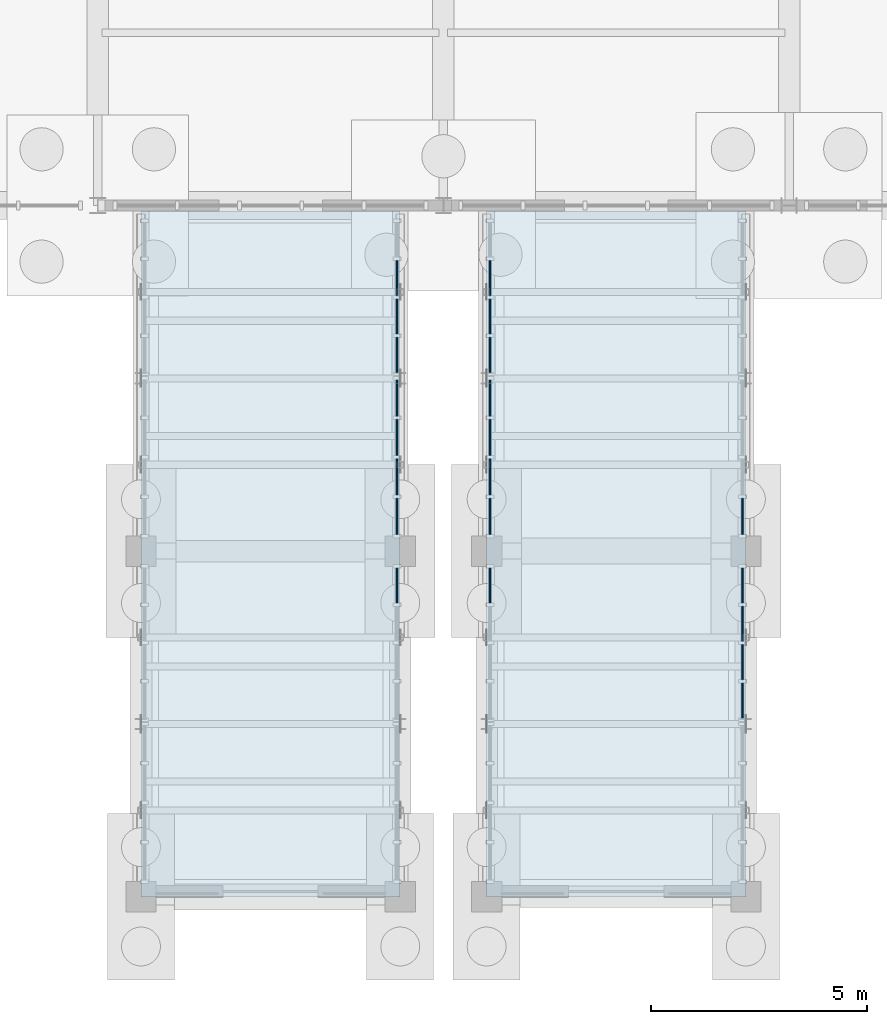
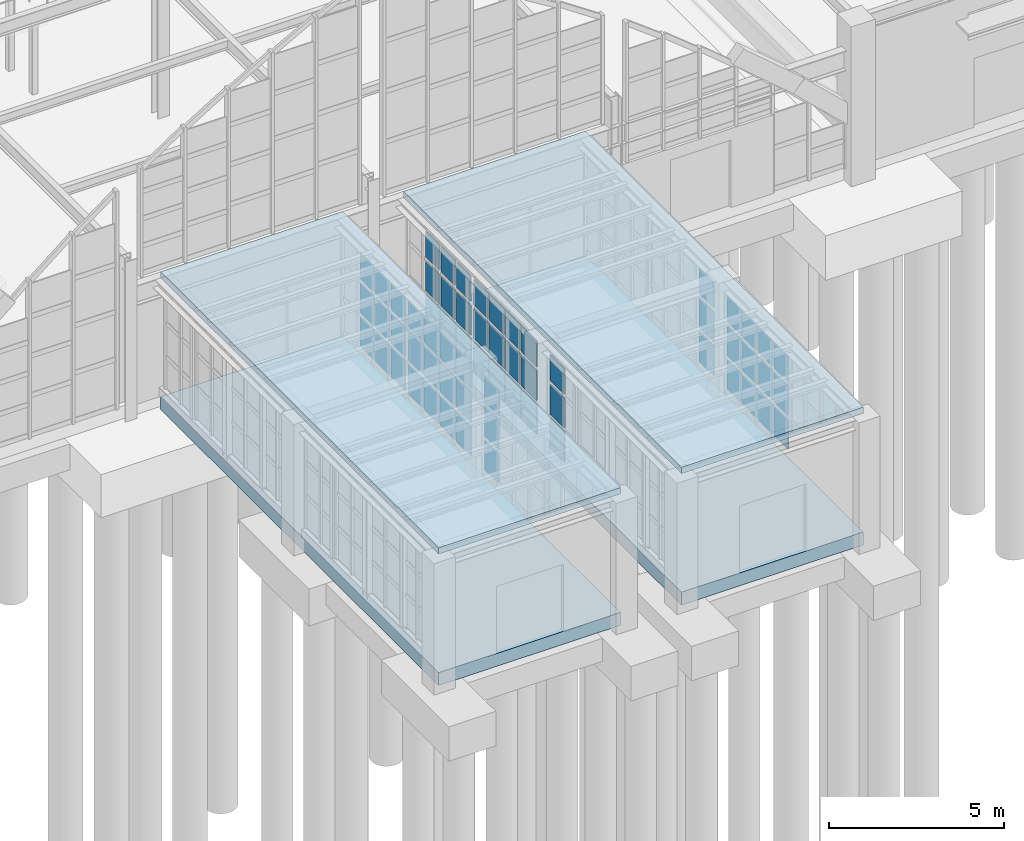
# One storey, part 81 of 129: 63 plates, 4 slabs, 8 elements without a shape of their own.
"""IFC4 building model written with IfcOpenShell, lengths in metres."""

from ifc_helpers import new_model, si_unit, direction, frame, origin, origin_2d, place, context, subcontext, project, spatial, polyline, rectangle, outline, extrude, material, layer, layer_set, type_object, element, aggregate, save


model = new_model("IFC4")

# Units and contexts
model_context = context("Model", 3, precision=1e-05, world=origin(), true_north=direction((0.0, 1.0)))
body_context = subcontext(model_context, "Body", "Model", "MODEL_VIEW")
ifc_project = project(units=[si_unit("LENGTHUNIT", "METRE"), si_unit("AREAUNIT", "SQUARE_METRE"), si_unit("VOLUMEUNIT", "CUBIC_METRE"), si_unit("PLANEANGLEUNIT", "RADIAN"), si_unit("MASSUNIT", "GRAM", prefix="KILO")], contexts=[model_context])

# Site, building, storey
site_placement = place(None, origin())
site = spatial("IfcSite", under=ifc_project, at=site_placement, CompositionType="ELEMENT")
building_placement = place(site_placement, origin())
building = spatial("IfcBuilding", under=site, at=building_placement, Name="Sitalva Quay Ferry Terminal", CompositionType="ELEMENT")
storey_placement = place(building_placement, origin())
storey = spatial("IfcBuildingStorey", under=building, at=storey_placement, Name="L01", CompositionType="ELEMENT", Elevation=0.0)

# Curtain wall, plates
ifc_material_1 = material(Name="Anodised Aluminium & Low-E Glazing", Category="aluminium")
ifc_layer_1 = layer(ifc_material_1, 0.159912109375)
ifc_layer_set_1 = layer_set([ifc_layer_1], Name="Anodised Aluminium & Low-E Glazing")
curtain_wall_type = type_object("IfcCurtainWallType", Name="CW_Bridge_Glazed", PredefinedType="USERDEFINED", material=ifc_layer_set_1)
curtain_wall_1_placement = place(storey_placement, origin())
curtain_wall_1 = element("IfcCurtainWall", 1, at=curtain_wall_1_placement, inside=storey, type_object=curtain_wall_type, Name="Boarding bridge BB2 E2 side glazing (CW-L01-046)", ObjectType="CURTAIN_WALL", PredefinedType="USERDEFINED")
ifc_material_2 = material(Name="Acoustic Laminated Marine Glazing", Category="glass")
ifc_layer_2 = layer(ifc_material_2, 0.033935546875)
ifc_layer_set_2 = layer_set([ifc_layer_2], Name="Acoustic Laminated Marine Glazing")
plate_type = type_object("IfcPlateType", Name="Panel_Marine_IGU_34", PredefinedType="CURTAIN_PANEL", material=ifc_layer_set_2)
plate_1_placement = place(storey_placement, frame((56.919921875, -2.793701171875, 0.39990234375), z_axis=(0.0, 0.0, 1.0), x_axis=(0.0, 1.0, 0.0)))
plate_1 = element("IfcPlate", 2, at=plate_1_placement, type_object=plate_type, Name="CW-L01-046-P3-0", PredefinedType="CURTAIN_PANEL", context=body_context, shape_type="SweptSolid", body=[
    extrude(rectangle(XDim=0.8076171875, YDim=0.033935546875, at=origin_2d()), origin(), (0.0, 0.0, 1.0), 1.026611328125),
])
plate_2_placement = place(storey_placement, frame((56.919921875, -2.793701171875, 1.57666015625), z_axis=(0.0, 0.0, 1.0), x_axis=(0.0, 1.0, 0.0)))
plate_2 = element("IfcPlate", 3, at=plate_2_placement, type_object=plate_type, Name="CW-L01-046-P3-1", PredefinedType="CURTAIN_PANEL", context=body_context, shape_type="SweptSolid", body=[
    extrude(rectangle(XDim=0.8076171875, YDim=0.033935546875, at=origin_2d()), origin(), (0.0, 0.0, 1.0), 1.026611328125),
])
plate_3_placement = place(storey_placement, frame((56.919921875, -2.793701171875, 2.75341796875), z_axis=(0.0, 0.0, 1.0), x_axis=(0.0, 1.0, 0.0)))
plate_3 = element("IfcPlate", 4, at=plate_3_placement, type_object=plate_type, Name="CW-L01-046-P3-2", PredefinedType="CURTAIN_PANEL", context=body_context, shape_type="SweptSolid", body=[
    extrude(rectangle(XDim=0.8076171875, YDim=0.033935546875, at=origin_2d()), origin(), (0.0, 0.0, 1.0), 0.876708984375),
])
aggregate(curtain_wall_1, [plate_1, plate_2, plate_3])

curtain_wall_2_placement = place(storey_placement, origin())
curtain_wall_2 = element("IfcCurtainWall", 5, at=curtain_wall_2_placement, inside=storey, type_object=curtain_wall_type, Name="Boarding bridge BB2 E3 side glazing (CW-L01-047)", ObjectType="CURTAIN_WALL", PredefinedType="USERDEFINED")
plate_4_placement = place(storey_placement, frame((56.919921875, -1.19384765625, 0.39990234375), z_axis=(0.0, 0.0, 1.0), x_axis=(0.0, 1.0, 0.0)))
plate_4 = element("IfcPlate", 6, at=plate_4_placement, type_object=plate_type, Name="CW-L01-047-P0-0", PredefinedType="CURTAIN_PANEL", context=body_context, shape_type="SweptSolid", body=[
    extrude(rectangle(XDim=0.83251953125, YDim=0.033935546875, at=origin_2d()), origin(), (0.0, 0.0, 1.0), 1.026611328125),
])
plate_5_placement = place(storey_placement, frame((56.919921875, -1.19384765625, 1.57666015625), z_axis=(0.0, 0.0, 1.0), x_axis=(0.0, 1.0, 0.0)))
plate_5 = element("IfcPlate", 7, at=plate_5_placement, type_object=plate_type, Name="CW-L01-047-P0-1", PredefinedType="CURTAIN_PANEL", context=body_context, shape_type="SweptSolid", body=[
    extrude(rectangle(XDim=0.83251953125, YDim=0.033935546875, at=origin_2d()), origin(), (0.0, 0.0, 1.0), 1.026611328125),
])
plate_6_placement = place(storey_placement, frame((56.919921875, -1.19384765625, 2.75341796875), z_axis=(0.0, 0.0, 1.0), x_axis=(0.0, 1.0, 0.0)))
plate_6 = element("IfcPlate", 8, at=plate_6_placement, type_object=plate_type, Name="CW-L01-047-P0-2", PredefinedType="CURTAIN_PANEL", context=body_context, shape_type="SweptSolid", body=[
    extrude(rectangle(XDim=0.83251953125, YDim=0.033935546875, at=origin_2d()), origin(), (0.0, 0.0, 1.0), 0.876708984375),
])
plate_7_placement = place(storey_placement, frame((56.919921875, -0.28125, 0.39990234375), z_axis=(0.0, 0.0, 1.0), x_axis=(0.0, 1.0, 0.0)))
plate_7 = element("IfcPlate", 9, at=plate_7_placement, type_object=plate_type, Name="CW-L01-047-P1-0", PredefinedType="CURTAIN_PANEL", context=body_context, shape_type="SweptSolid", body=[
    extrude(rectangle(XDim=0.83251953125, YDim=0.033935546875, at=origin_2d()), origin(), (0.0, 0.0, 1.0), 1.026611328125),
])
plate_8_placement = place(storey_placement, frame((56.919921875, -0.28125, 1.57666015625), z_axis=(0.0, 0.0, 1.0), x_axis=(0.0, 1.0, 0.0)))
plate_8 = element("IfcPlate", 10, at=plate_8_placement, type_object=plate_type, Name="CW-L01-047-P1-1", PredefinedType="CURTAIN_PANEL", context=body_context, shape_type="SweptSolid", body=[
    extrude(rectangle(XDim=0.83251953125, YDim=0.033935546875, at=origin_2d()), origin(), (0.0, 0.0, 1.0), 1.026611328125),
])
plate_9_placement = place(storey_placement, frame((56.919921875, -0.28125, 2.75341796875), z_axis=(0.0, 0.0, 1.0), x_axis=(0.0, 1.0, 0.0)))
plate_9 = element("IfcPlate", 11, at=plate_9_placement, type_object=plate_type, Name="CW-L01-047-P1-2", PredefinedType="CURTAIN_PANEL", context=body_context, shape_type="SweptSolid", body=[
    extrude(rectangle(XDim=0.83251953125, YDim=0.033935546875, at=origin_2d()), origin(), (0.0, 0.0, 1.0), 0.876708984375),
])
plate_10_placement = place(storey_placement, frame((56.919921875, 0.63134765625, 0.39990234375), z_axis=(0.0, 0.0, 1.0), x_axis=(0.0, 1.0, 0.0)))
plate_10 = element("IfcPlate", 12, at=plate_10_placement, type_object=plate_type, Name="CW-L01-047-P2-0", PredefinedType="CURTAIN_PANEL", context=body_context, shape_type="SweptSolid", body=[
    extrude(rectangle(XDim=0.83251953125, YDim=0.033935546875, at=origin_2d()), origin(), (0.0, 0.0, 1.0), 1.026611328125),
])
plate_11_placement = place(storey_placement, frame((56.919921875, 0.63134765625, 1.57666015625), z_axis=(0.0, 0.0, 1.0), x_axis=(0.0, 1.0, 0.0)))
plate_11 = element("IfcPlate", 13, at=plate_11_placement, type_object=plate_type, Name="CW-L01-047-P2-1", PredefinedType="CURTAIN_PANEL", context=body_context, shape_type="SweptSolid", body=[
    extrude(rectangle(XDim=0.83251953125, YDim=0.033935546875, at=origin_2d()), origin(), (0.0, 0.0, 1.0), 1.026611328125),
])
plate_12_placement = place(storey_placement, frame((56.919921875, 0.63134765625, 2.75341796875), z_axis=(0.0, 0.0, 1.0), x_axis=(0.0, 1.0, 0.0)))
plate_12 = element("IfcPlate", 14, at=plate_12_placement, type_object=plate_type, Name="CW-L01-047-P2-2", PredefinedType="CURTAIN_PANEL", context=body_context, shape_type="SweptSolid", body=[
    extrude(rectangle(XDim=0.83251953125, YDim=0.033935546875, at=origin_2d()), origin(), (0.0, 0.0, 1.0), 0.876708984375),
])
plate_13_placement = place(storey_placement, frame((56.919921875, 1.543701171875, 0.39990234375), z_axis=(0.0, 0.0, 1.0), x_axis=(0.0, 1.0, 0.0)))
plate_13 = element("IfcPlate", 15, at=plate_13_placement, type_object=plate_type, Name="CW-L01-047-P3-0", PredefinedType="CURTAIN_PANEL", context=body_context, shape_type="SweptSolid", body=[
    extrude(rectangle(XDim=0.83251953125, YDim=0.033935546875, at=origin_2d()), origin(), (0.0, 0.0, 1.0), 1.026611328125),
])
plate_14_placement = place(storey_placement, frame((56.919921875, 1.543701171875, 1.57666015625), z_axis=(0.0, 0.0, 1.0), x_axis=(0.0, 1.0, 0.0)))
plate_14 = element("IfcPlate", 16, at=plate_14_placement, type_object=plate_type, Name="CW-L01-047-P3-1", PredefinedType="CURTAIN_PANEL", context=body_context, shape_type="SweptSolid", body=[
    extrude(rectangle(XDim=0.83251953125, YDim=0.033935546875, at=origin_2d()), origin(), (0.0, 0.0, 1.0), 1.026611328125),
])
plate_15_placement = place(storey_placement, frame((56.919921875, 1.543701171875, 2.75341796875), z_axis=(0.0, 0.0, 1.0), x_axis=(0.0, 1.0, 0.0)))
plate_15 = element("IfcPlate", 17, at=plate_15_placement, type_object=plate_type, Name="CW-L01-047-P3-2", PredefinedType="CURTAIN_PANEL", context=body_context, shape_type="SweptSolid", body=[
    extrude(rectangle(XDim=0.83251953125, YDim=0.033935546875, at=origin_2d()), origin(), (0.0, 0.0, 1.0), 0.876708984375),
])
aggregate(curtain_wall_2, [plate_4, plate_5, plate_6, plate_7, plate_8, plate_9, plate_10, plate_11, plate_12, plate_13, plate_14, plate_15])

curtain_wall_3_placement = place(storey_placement, origin())
curtain_wall_3 = element("IfcCurtainWall", 18, at=curtain_wall_3_placement, inside=storey, type_object=curtain_wall_type, Name="Boarding bridge BB2 E4 side glazing (CW-L01-048)", ObjectType="CURTAIN_WALL", PredefinedType="USERDEFINED")
plate_16_placement = place(storey_placement, frame((56.919921875, 2.543701171875, 0.39990234375), z_axis=(0.0, 0.0, 1.0), x_axis=(0.0, 1.0, 0.0)))
plate_16 = element("IfcPlate", 19, at=plate_16_placement, type_object=plate_type, Name="CW-L01-048-P0-0", PredefinedType="CURTAIN_PANEL", context=body_context, shape_type="SweptSolid", body=[
    extrude(rectangle(XDim=0.8076171875, YDim=0.033935546875, at=origin_2d()), origin(), (0.0, 0.0, 1.0), 1.026611328125),
])
plate_17_placement = place(storey_placement, frame((56.919921875, 2.543701171875, 1.57666015625), z_axis=(0.0, 0.0, 1.0), x_axis=(0.0, 1.0, 0.0)))
plate_17 = element("IfcPlate", 20, at=plate_17_placement, type_object=plate_type, Name="CW-L01-048-P0-1", PredefinedType="CURTAIN_PANEL", context=body_context, shape_type="SweptSolid", body=[
    extrude(rectangle(XDim=0.8076171875, YDim=0.033935546875, at=origin_2d()), origin(), (0.0, 0.0, 1.0), 1.026611328125),
])
plate_18_placement = place(storey_placement, frame((56.919921875, 2.543701171875, 2.75341796875), z_axis=(0.0, 0.0, 1.0), x_axis=(0.0, 1.0, 0.0)))
plate_18 = element("IfcPlate", 21, at=plate_18_placement, type_object=plate_type, Name="CW-L01-048-P0-2", PredefinedType="CURTAIN_PANEL", context=body_context, shape_type="SweptSolid", body=[
    extrude(rectangle(XDim=0.8076171875, YDim=0.033935546875, at=origin_2d()), origin(), (0.0, 0.0, 1.0), 0.876708984375),
])
plate_19_placement = place(storey_placement, frame((56.919921875, 3.43115234375, 0.39990234375), z_axis=(0.0, 0.0, 1.0), x_axis=(0.0, 1.0, 0.0)))
plate_19 = element("IfcPlate", 22, at=plate_19_placement, type_object=plate_type, Name="CW-L01-048-P1-0", PredefinedType="CURTAIN_PANEL", context=body_context, shape_type="SweptSolid", body=[
    extrude(rectangle(XDim=0.8076171875, YDim=0.033935546875, at=origin_2d()), origin(), (0.0, 0.0, 1.0), 1.026611328125),
])
plate_20_placement = place(storey_placement, frame((56.919921875, 3.43115234375, 1.57666015625), z_axis=(0.0, 0.0, 1.0), x_axis=(0.0, 1.0, 0.0)))
plate_20 = element("IfcPlate", 23, at=plate_20_placement, type_object=plate_type, Name="CW-L01-048-P1-1", PredefinedType="CURTAIN_PANEL", context=body_context, shape_type="SweptSolid", body=[
    extrude(rectangle(XDim=0.8076171875, YDim=0.033935546875, at=origin_2d()), origin(), (0.0, 0.0, 1.0), 1.026611328125),
])
plate_21_placement = place(storey_placement, frame((56.919921875, 3.43115234375, 2.75341796875), z_axis=(0.0, 0.0, 1.0), x_axis=(0.0, 1.0, 0.0)))
plate_21 = element("IfcPlate", 24, at=plate_21_placement, type_object=plate_type, Name="CW-L01-048-P1-2", PredefinedType="CURTAIN_PANEL", context=body_context, shape_type="SweptSolid", body=[
    extrude(rectangle(XDim=0.8076171875, YDim=0.033935546875, at=origin_2d()), origin(), (0.0, 0.0, 1.0), 0.876708984375),
])
plate_22_placement = place(storey_placement, frame((56.919921875, 4.31884765625, 0.39990234375), z_axis=(0.0, 0.0, 1.0), x_axis=(0.0, 1.0, 0.0)))
plate_22 = element("IfcPlate", 25, at=plate_22_placement, type_object=plate_type, Name="CW-L01-048-P2-0", PredefinedType="CURTAIN_PANEL", context=body_context, shape_type="SweptSolid", body=[
    extrude(rectangle(XDim=0.8076171875, YDim=0.033935546875, at=origin_2d()), origin(), (0.0, 0.0, 1.0), 1.026611328125),
])
plate_23_placement = place(storey_placement, frame((56.919921875, 4.31884765625, 1.57666015625), z_axis=(0.0, 0.0, 1.0), x_axis=(0.0, 1.0, 0.0)))
plate_23 = element("IfcPlate", 26, at=plate_23_placement, type_object=plate_type, Name="CW-L01-048-P2-1", PredefinedType="CURTAIN_PANEL", context=body_context, shape_type="SweptSolid", body=[
    extrude(rectangle(XDim=0.8076171875, YDim=0.033935546875, at=origin_2d()), origin(), (0.0, 0.0, 1.0), 1.026611328125),
])
plate_24_placement = place(storey_placement, frame((56.919921875, 4.31884765625, 2.75341796875), z_axis=(0.0, 0.0, 1.0), x_axis=(0.0, 1.0, 0.0)))
plate_24 = element("IfcPlate", 27, at=plate_24_placement, type_object=plate_type, Name="CW-L01-048-P2-2", PredefinedType="CURTAIN_PANEL", context=body_context, shape_type="SweptSolid", body=[
    extrude(rectangle(XDim=0.8076171875, YDim=0.033935546875, at=origin_2d()), origin(), (0.0, 0.0, 1.0), 0.876708984375),
])
aggregate(curtain_wall_3, [plate_16, plate_17, plate_18, plate_19, plate_20, plate_21, plate_22, plate_23, plate_24])

curtain_wall_4_placement = place(storey_placement, origin())
curtain_wall_4 = element("IfcCurtainWall", 28, at=curtain_wall_4_placement, inside=storey, type_object=curtain_wall_type, Name="Boarding bridge BB3 W2 side glazing (CW-L01-050)", ObjectType="CURTAIN_WALL", PredefinedType="USERDEFINED")
plate_25_placement = place(storey_placement, frame((59.080078125, -2.793701171875, 0.39990234375), z_axis=(0.0, 0.0, 1.0), x_axis=(0.0, 1.0, 0.0)))
plate_25 = element("IfcPlate", 29, at=plate_25_placement, type_object=plate_type, Name="CW-L01-050-P3-0", PredefinedType="CURTAIN_PANEL", context=body_context, shape_type="SweptSolid", body=[
    extrude(rectangle(XDim=0.8076171875, YDim=0.033935546875, at=origin_2d()), origin(), (0.0, 0.0, 1.0), 1.026611328125),
])
plate_26_placement = place(storey_placement, frame((59.080078125, -2.793701171875, 1.57666015625), z_axis=(0.0, 0.0, 1.0), x_axis=(0.0, 1.0, 0.0)))
plate_26 = element("IfcPlate", 30, at=plate_26_placement, type_object=plate_type, Name="CW-L01-050-P3-1", PredefinedType="CURTAIN_PANEL", context=body_context, shape_type="SweptSolid", body=[
    extrude(rectangle(XDim=0.8076171875, YDim=0.033935546875, at=origin_2d()), origin(), (0.0, 0.0, 1.0), 1.026611328125),
])
plate_27_placement = place(storey_placement, frame((59.080078125, -2.793701171875, 2.75341796875), z_axis=(0.0, 0.0, 1.0), x_axis=(0.0, 1.0, 0.0)))
plate_27 = element("IfcPlate", 31, at=plate_27_placement, type_object=plate_type, Name="CW-L01-050-P3-2", PredefinedType="CURTAIN_PANEL", context=body_context, shape_type="SweptSolid", body=[
    extrude(rectangle(XDim=0.8076171875, YDim=0.033935546875, at=origin_2d()), origin(), (0.0, 0.0, 1.0), 0.876708984375),
])
aggregate(curtain_wall_4, [plate_25, plate_26, plate_27])

curtain_wall_5_placement = place(storey_placement, origin())
curtain_wall_5 = element("IfcCurtainWall", 32, at=curtain_wall_5_placement, inside=storey, type_object=curtain_wall_type, Name="Boarding bridge BB3 W3 side glazing (CW-L01-051)", ObjectType="CURTAIN_WALL", PredefinedType="USERDEFINED")
plate_28_placement = place(storey_placement, frame((59.080078125, -1.19384765625, 0.39990234375), z_axis=(0.0, 0.0, 1.0), x_axis=(0.0, 1.0, 0.0)))
plate_28 = element("IfcPlate", 33, at=plate_28_placement, type_object=plate_type, Name="CW-L01-051-P0-0", PredefinedType="CURTAIN_PANEL", context=body_context, shape_type="SweptSolid", body=[
    extrude(rectangle(XDim=0.83251953125, YDim=0.033935546875, at=origin_2d()), origin(), (0.0, 0.0, 1.0), 1.026611328125),
])
plate_29_placement = place(storey_placement, frame((59.080078125, -1.19384765625, 1.57666015625), z_axis=(0.0, 0.0, 1.0), x_axis=(0.0, 1.0, 0.0)))
plate_29 = element("IfcPlate", 34, at=plate_29_placement, type_object=plate_type, Name="CW-L01-051-P0-1", PredefinedType="CURTAIN_PANEL", context=body_context, shape_type="SweptSolid", body=[
    extrude(rectangle(XDim=0.83251953125, YDim=0.033935546875, at=origin_2d()), origin(), (0.0, 0.0, 1.0), 1.026611328125),
])
plate_30_placement = place(storey_placement, frame((59.080078125, -1.19384765625, 2.75341796875), z_axis=(0.0, 0.0, 1.0), x_axis=(0.0, 1.0, 0.0)))
plate_30 = element("IfcPlate", 35, at=plate_30_placement, type_object=plate_type, Name="CW-L01-051-P0-2", PredefinedType="CURTAIN_PANEL", context=body_context, shape_type="SweptSolid", body=[
    extrude(rectangle(XDim=0.83251953125, YDim=0.033935546875, at=origin_2d()), origin(), (0.0, 0.0, 1.0), 0.876708984375),
])
plate_31_placement = place(storey_placement, frame((59.080078125, -0.28125, 0.39990234375), z_axis=(0.0, 0.0, 1.0), x_axis=(0.0, 1.0, 0.0)))
plate_31 = element("IfcPlate", 36, at=plate_31_placement, type_object=plate_type, Name="CW-L01-051-P1-0", PredefinedType="CURTAIN_PANEL", context=body_context, shape_type="SweptSolid", body=[
    extrude(rectangle(XDim=0.83251953125, YDim=0.033935546875, at=origin_2d()), origin(), (0.0, 0.0, 1.0), 1.026611328125),
])
plate_32_placement = place(storey_placement, frame((59.080078125, -0.28125, 1.57666015625), z_axis=(0.0, 0.0, 1.0), x_axis=(0.0, 1.0, 0.0)))
plate_32 = element("IfcPlate", 37, at=plate_32_placement, type_object=plate_type, Name="CW-L01-051-P1-1", PredefinedType="CURTAIN_PANEL", context=body_context, shape_type="SweptSolid", body=[
    extrude(rectangle(XDim=0.83251953125, YDim=0.033935546875, at=origin_2d()), origin(), (0.0, 0.0, 1.0), 1.026611328125),
])
plate_33_placement = place(storey_placement, frame((59.080078125, -0.28125, 2.75341796875), z_axis=(0.0, 0.0, 1.0), x_axis=(0.0, 1.0, 0.0)))
plate_33 = element("IfcPlate", 38, at=plate_33_placement, type_object=plate_type, Name="CW-L01-051-P1-2", PredefinedType="CURTAIN_PANEL", context=body_context, shape_type="SweptSolid", body=[
    extrude(rectangle(XDim=0.83251953125, YDim=0.033935546875, at=origin_2d()), origin(), (0.0, 0.0, 1.0), 0.876708984375),
])
plate_34_placement = place(storey_placement, frame((59.080078125, 0.63134765625, 0.39990234375), z_axis=(0.0, 0.0, 1.0), x_axis=(0.0, 1.0, 0.0)))
plate_34 = element("IfcPlate", 39, at=plate_34_placement, type_object=plate_type, Name="CW-L01-051-P2-0", PredefinedType="CURTAIN_PANEL", context=body_context, shape_type="SweptSolid", body=[
    extrude(rectangle(XDim=0.83251953125, YDim=0.033935546875, at=origin_2d()), origin(), (0.0, 0.0, 1.0), 1.026611328125),
])
plate_35_placement = place(storey_placement, frame((59.080078125, 0.63134765625, 1.57666015625), z_axis=(0.0, 0.0, 1.0), x_axis=(0.0, 1.0, 0.0)))
plate_35 = element("IfcPlate", 40, at=plate_35_placement, type_object=plate_type, Name="CW-L01-051-P2-1", PredefinedType="CURTAIN_PANEL", context=body_context, shape_type="SweptSolid", body=[
    extrude(rectangle(XDim=0.83251953125, YDim=0.033935546875, at=origin_2d()), origin(), (0.0, 0.0, 1.0), 1.026611328125),
])
plate_36_placement = place(storey_placement, frame((59.080078125, 0.63134765625, 2.75341796875), z_axis=(0.0, 0.0, 1.0), x_axis=(0.0, 1.0, 0.0)))
plate_36 = element("IfcPlate", 41, at=plate_36_placement, type_object=plate_type, Name="CW-L01-051-P2-2", PredefinedType="CURTAIN_PANEL", context=body_context, shape_type="SweptSolid", body=[
    extrude(rectangle(XDim=0.83251953125, YDim=0.033935546875, at=origin_2d()), origin(), (0.0, 0.0, 1.0), 0.876708984375),
])
plate_37_placement = place(storey_placement, frame((59.080078125, 1.543701171875, 0.39990234375), z_axis=(0.0, 0.0, 1.0), x_axis=(0.0, 1.0, 0.0)))
plate_37 = element("IfcPlate", 42, at=plate_37_placement, type_object=plate_type, Name="CW-L01-051-P3-0", PredefinedType="CURTAIN_PANEL", context=body_context, shape_type="SweptSolid", body=[
    extrude(rectangle(XDim=0.83251953125, YDim=0.033935546875, at=origin_2d()), origin(), (0.0, 0.0, 1.0), 1.026611328125),
])
plate_38_placement = place(storey_placement, frame((59.080078125, 1.543701171875, 1.57666015625), z_axis=(0.0, 0.0, 1.0), x_axis=(0.0, 1.0, 0.0)))
plate_38 = element("IfcPlate", 43, at=plate_38_placement, type_object=plate_type, Name="CW-L01-051-P3-1", PredefinedType="CURTAIN_PANEL", context=body_context, shape_type="SweptSolid", body=[
    extrude(rectangle(XDim=0.83251953125, YDim=0.033935546875, at=origin_2d()), origin(), (0.0, 0.0, 1.0), 1.026611328125),
])
plate_39_placement = place(storey_placement, frame((59.080078125, 1.543701171875, 2.75341796875), z_axis=(0.0, 0.0, 1.0), x_axis=(0.0, 1.0, 0.0)))
plate_39 = element("IfcPlate", 44, at=plate_39_placement, type_object=plate_type, Name="CW-L01-051-P3-2", PredefinedType="CURTAIN_PANEL", context=body_context, shape_type="SweptSolid", body=[
    extrude(rectangle(XDim=0.83251953125, YDim=0.033935546875, at=origin_2d()), origin(), (0.0, 0.0, 1.0), 0.876708984375),
])
aggregate(curtain_wall_5, [plate_28, plate_29, plate_30, plate_31, plate_32, plate_33, plate_34, plate_35, plate_36, plate_37, plate_38, plate_39])

curtain_wall_6_placement = place(storey_placement, origin())
curtain_wall_6 = element("IfcCurtainWall", 45, at=curtain_wall_6_placement, inside=storey, type_object=curtain_wall_type, Name="Boarding bridge BB3 W4 side glazing (CW-L01-052)", ObjectType="CURTAIN_WALL", PredefinedType="USERDEFINED")
plate_40_placement = place(storey_placement, frame((59.080078125, 2.543701171875, 0.39990234375), z_axis=(0.0, 0.0, 1.0), x_axis=(0.0, 1.0, 0.0)))
plate_40 = element("IfcPlate", 46, at=plate_40_placement, type_object=plate_type, Name="CW-L01-052-P0-0", PredefinedType="CURTAIN_PANEL", context=body_context, shape_type="SweptSolid", body=[
    extrude(rectangle(XDim=0.8076171875, YDim=0.033935546875, at=origin_2d()), origin(), (0.0, 0.0, 1.0), 1.026611328125),
])
plate_41_placement = place(storey_placement, frame((59.080078125, 2.543701171875, 1.57666015625), z_axis=(0.0, 0.0, 1.0), x_axis=(0.0, 1.0, 0.0)))
plate_41 = element("IfcPlate", 47, at=plate_41_placement, type_object=plate_type, Name="CW-L01-052-P0-1", PredefinedType="CURTAIN_PANEL", context=body_context, shape_type="SweptSolid", body=[
    extrude(rectangle(XDim=0.8076171875, YDim=0.033935546875, at=origin_2d()), origin(), (0.0, 0.0, 1.0), 1.026611328125),
])
plate_42_placement = place(storey_placement, frame((59.080078125, 2.543701171875, 2.75341796875), z_axis=(0.0, 0.0, 1.0), x_axis=(0.0, 1.0, 0.0)))
plate_42 = element("IfcPlate", 48, at=plate_42_placement, type_object=plate_type, Name="CW-L01-052-P0-2", PredefinedType="CURTAIN_PANEL", context=body_context, shape_type="SweptSolid", body=[
    extrude(rectangle(XDim=0.8076171875, YDim=0.033935546875, at=origin_2d()), origin(), (0.0, 0.0, 1.0), 0.876708984375),
])
plate_43_placement = place(storey_placement, frame((59.080078125, 3.43115234375, 0.39990234375), z_axis=(0.0, 0.0, 1.0), x_axis=(0.0, 1.0, 0.0)))
plate_43 = element("IfcPlate", 49, at=plate_43_placement, type_object=plate_type, Name="CW-L01-052-P1-0", PredefinedType="CURTAIN_PANEL", context=body_context, shape_type="SweptSolid", body=[
    extrude(rectangle(XDim=0.8076171875, YDim=0.033935546875, at=origin_2d()), origin(), (0.0, 0.0, 1.0), 1.026611328125),
])
plate_44_placement = place(storey_placement, frame((59.080078125, 3.43115234375, 1.57666015625), z_axis=(0.0, 0.0, 1.0), x_axis=(0.0, 1.0, 0.0)))
plate_44 = element("IfcPlate", 50, at=plate_44_placement, type_object=plate_type, Name="CW-L01-052-P1-1", PredefinedType="CURTAIN_PANEL", context=body_context, shape_type="SweptSolid", body=[
    extrude(rectangle(XDim=0.8076171875, YDim=0.033935546875, at=origin_2d()), origin(), (0.0, 0.0, 1.0), 1.026611328125),
])
plate_45_placement = place(storey_placement, frame((59.080078125, 3.43115234375, 2.75341796875), z_axis=(0.0, 0.0, 1.0), x_axis=(0.0, 1.0, 0.0)))
plate_45 = element("IfcPlate", 51, at=plate_45_placement, type_object=plate_type, Name="CW-L01-052-P1-2", PredefinedType="CURTAIN_PANEL", context=body_context, shape_type="SweptSolid", body=[
    extrude(rectangle(XDim=0.8076171875, YDim=0.033935546875, at=origin_2d()), origin(), (0.0, 0.0, 1.0), 0.876708984375),
])
plate_46_placement = place(storey_placement, frame((59.080078125, 4.31884765625, 0.39990234375), z_axis=(0.0, 0.0, 1.0), x_axis=(0.0, 1.0, 0.0)))
plate_46 = element("IfcPlate", 52, at=plate_46_placement, type_object=plate_type, Name="CW-L01-052-P2-0", PredefinedType="CURTAIN_PANEL", context=body_context, shape_type="SweptSolid", body=[
    extrude(rectangle(XDim=0.8076171875, YDim=0.033935546875, at=origin_2d()), origin(), (0.0, 0.0, 1.0), 1.026611328125),
])
plate_47_placement = place(storey_placement, frame((59.080078125, 4.31884765625, 1.57666015625), z_axis=(0.0, 0.0, 1.0), x_axis=(0.0, 1.0, 0.0)))
plate_47 = element("IfcPlate", 53, at=plate_47_placement, type_object=plate_type, Name="CW-L01-052-P2-1", PredefinedType="CURTAIN_PANEL", context=body_context, shape_type="SweptSolid", body=[
    extrude(rectangle(XDim=0.8076171875, YDim=0.033935546875, at=origin_2d()), origin(), (0.0, 0.0, 1.0), 1.026611328125),
])
plate_48_placement = place(storey_placement, frame((59.080078125, 4.31884765625, 2.75341796875), z_axis=(0.0, 0.0, 1.0), x_axis=(0.0, 1.0, 0.0)))
plate_48 = element("IfcPlate", 54, at=plate_48_placement, type_object=plate_type, Name="CW-L01-052-P2-2", PredefinedType="CURTAIN_PANEL", context=body_context, shape_type="SweptSolid", body=[
    extrude(rectangle(XDim=0.8076171875, YDim=0.033935546875, at=origin_2d()), origin(), (0.0, 0.0, 1.0), 0.876708984375),
])
aggregate(curtain_wall_6, [plate_40, plate_41, plate_42, plate_43, plate_44, plate_45, plate_46, plate_47, plate_48])

curtain_wall_7_placement = place(storey_placement, origin())
curtain_wall_7 = element("IfcCurtainWall", 55, at=curtain_wall_7_placement, inside=storey, type_object=curtain_wall_type, Name="Boarding bridge BB3 E2 side glazing (CW-L01-054)", ObjectType="CURTAIN_WALL", PredefinedType="USERDEFINED")
plate_49_placement = place(storey_placement, frame((64.919921875, -5.456298828125, 0.39990234375), z_axis=(0.0, 0.0, 1.0), x_axis=(0.0, 1.0, 0.0)))
plate_49 = element("IfcPlate", 56, at=plate_49_placement, type_object=plate_type, Name="CW-L01-054-P0-0", PredefinedType="CURTAIN_PANEL", context=body_context, shape_type="SweptSolid", body=[
    extrude(rectangle(XDim=0.8076171875, YDim=0.033935546875, at=origin_2d()), origin(), (0.0, 0.0, 1.0), 1.026611328125),
])
plate_50_placement = place(storey_placement, frame((64.919921875, -5.456298828125, 1.57666015625), z_axis=(0.0, 0.0, 1.0), x_axis=(0.0, 1.0, 0.0)))
plate_50 = element("IfcPlate", 57, at=plate_50_placement, type_object=plate_type, Name="CW-L01-054-P0-1", PredefinedType="CURTAIN_PANEL", context=body_context, shape_type="SweptSolid", body=[
    extrude(rectangle(XDim=0.8076171875, YDim=0.033935546875, at=origin_2d()), origin(), (0.0, 0.0, 1.0), 1.026611328125),
])
plate_51_placement = place(storey_placement, frame((64.919921875, -5.456298828125, 2.75341796875), z_axis=(0.0, 0.0, 1.0), x_axis=(0.0, 1.0, 0.0)))
plate_51 = element("IfcPlate", 58, at=plate_51_placement, type_object=plate_type, Name="CW-L01-054-P0-2", PredefinedType="CURTAIN_PANEL", context=body_context, shape_type="SweptSolid", body=[
    extrude(rectangle(XDim=0.8076171875, YDim=0.033935546875, at=origin_2d()), origin(), (0.0, 0.0, 1.0), 0.876708984375),
])
plate_52_placement = place(storey_placement, frame((64.919921875, -4.56884765625, 0.39990234375), z_axis=(0.0, 0.0, 1.0), x_axis=(0.0, 1.0, 0.0)))
plate_52 = element("IfcPlate", 59, at=plate_52_placement, type_object=plate_type, Name="CW-L01-054-P1-0", PredefinedType="CURTAIN_PANEL", context=body_context, shape_type="SweptSolid", body=[
    extrude(rectangle(XDim=0.8076171875, YDim=0.033935546875, at=origin_2d()), origin(), (0.0, 0.0, 1.0), 1.026611328125),
])
plate_53_placement = place(storey_placement, frame((64.919921875, -4.56884765625, 1.57666015625), z_axis=(0.0, 0.0, 1.0), x_axis=(0.0, 1.0, 0.0)))
plate_53 = element("IfcPlate", 60, at=plate_53_placement, type_object=plate_type, Name="CW-L01-054-P1-1", PredefinedType="CURTAIN_PANEL", context=body_context, shape_type="SweptSolid", body=[
    extrude(rectangle(XDim=0.8076171875, YDim=0.033935546875, at=origin_2d()), origin(), (0.0, 0.0, 1.0), 1.026611328125),
])
plate_54_placement = place(storey_placement, frame((64.919921875, -4.56884765625, 2.75341796875), z_axis=(0.0, 0.0, 1.0), x_axis=(0.0, 1.0, 0.0)))
plate_54 = element("IfcPlate", 61, at=plate_54_placement, type_object=plate_type, Name="CW-L01-054-P1-2", PredefinedType="CURTAIN_PANEL", context=body_context, shape_type="SweptSolid", body=[
    extrude(rectangle(XDim=0.8076171875, YDim=0.033935546875, at=origin_2d()), origin(), (0.0, 0.0, 1.0), 0.876708984375),
])
plate_55_placement = place(storey_placement, frame((64.919921875, -3.68115234375, 0.39990234375), z_axis=(0.0, 0.0, 1.0), x_axis=(0.0, 1.0, 0.0)))
plate_55 = element("IfcPlate", 62, at=plate_55_placement, type_object=plate_type, Name="CW-L01-054-P2-0", PredefinedType="CURTAIN_PANEL", context=body_context, shape_type="SweptSolid", body=[
    extrude(rectangle(XDim=0.8076171875, YDim=0.033935546875, at=origin_2d()), origin(), (0.0, 0.0, 1.0), 1.026611328125),
])
plate_56_placement = place(storey_placement, frame((64.919921875, -3.68115234375, 1.57666015625), z_axis=(0.0, 0.0, 1.0), x_axis=(0.0, 1.0, 0.0)))
plate_56 = element("IfcPlate", 63, at=plate_56_placement, type_object=plate_type, Name="CW-L01-054-P2-1", PredefinedType="CURTAIN_PANEL", context=body_context, shape_type="SweptSolid", body=[
    extrude(rectangle(XDim=0.8076171875, YDim=0.033935546875, at=origin_2d()), origin(), (0.0, 0.0, 1.0), 1.026611328125),
])
plate_57_placement = place(storey_placement, frame((64.919921875, -3.68115234375, 2.75341796875), z_axis=(0.0, 0.0, 1.0), x_axis=(0.0, 1.0, 0.0)))
plate_57 = element("IfcPlate", 64, at=plate_57_placement, type_object=plate_type, Name="CW-L01-054-P2-2", PredefinedType="CURTAIN_PANEL", context=body_context, shape_type="SweptSolid", body=[
    extrude(rectangle(XDim=0.8076171875, YDim=0.033935546875, at=origin_2d()), origin(), (0.0, 0.0, 1.0), 0.876708984375),
])
plate_58_placement = place(storey_placement, frame((64.919921875, -2.793701171875, 0.39990234375), z_axis=(0.0, 0.0, 1.0), x_axis=(0.0, 1.0, 0.0)))
plate_58 = element("IfcPlate", 65, at=plate_58_placement, type_object=plate_type, Name="CW-L01-054-P3-0", PredefinedType="CURTAIN_PANEL", context=body_context, shape_type="SweptSolid", body=[
    extrude(rectangle(XDim=0.8076171875, YDim=0.033935546875, at=origin_2d()), origin(), (0.0, 0.0, 1.0), 1.026611328125),
])
plate_59_placement = place(storey_placement, frame((64.919921875, -2.793701171875, 1.57666015625), z_axis=(0.0, 0.0, 1.0), x_axis=(0.0, 1.0, 0.0)))
plate_59 = element("IfcPlate", 66, at=plate_59_placement, type_object=plate_type, Name="CW-L01-054-P3-1", PredefinedType="CURTAIN_PANEL", context=body_context, shape_type="SweptSolid", body=[
    extrude(rectangle(XDim=0.8076171875, YDim=0.033935546875, at=origin_2d()), origin(), (0.0, 0.0, 1.0), 1.026611328125),
])
plate_60_placement = place(storey_placement, frame((64.919921875, -2.793701171875, 2.75341796875), z_axis=(0.0, 0.0, 1.0), x_axis=(0.0, 1.0, 0.0)))
plate_60 = element("IfcPlate", 67, at=plate_60_placement, type_object=plate_type, Name="CW-L01-054-P3-2", PredefinedType="CURTAIN_PANEL", context=body_context, shape_type="SweptSolid", body=[
    extrude(rectangle(XDim=0.8076171875, YDim=0.033935546875, at=origin_2d()), origin(), (0.0, 0.0, 1.0), 0.876708984375),
])
aggregate(curtain_wall_7, [plate_49, plate_50, plate_51, plate_52, plate_53, plate_54, plate_55, plate_56, plate_57, plate_58, plate_59, plate_60])

curtain_wall_8_placement = place(storey_placement, origin())
curtain_wall_8 = element("IfcCurtainWall", 68, at=curtain_wall_8_placement, inside=storey, type_object=curtain_wall_type, Name="Boarding bridge BB3 E3 side glazing (CW-L01-055)", ObjectType="CURTAIN_WALL", PredefinedType="USERDEFINED")
plate_61_placement = place(storey_placement, frame((64.919921875, -1.19384765625, 0.39990234375), z_axis=(0.0, 0.0, 1.0), x_axis=(0.0, 1.0, 0.0)))
plate_61 = element("IfcPlate", 69, at=plate_61_placement, type_object=plate_type, Name="CW-L01-055-P0-0", PredefinedType="CURTAIN_PANEL", context=body_context, shape_type="SweptSolid", body=[
    extrude(rectangle(XDim=0.83251953125, YDim=0.033935546875, at=origin_2d()), origin(), (0.0, 0.0, 1.0), 1.026611328125),
])
plate_62_placement = place(storey_placement, frame((64.919921875, -1.19384765625, 1.57666015625), z_axis=(0.0, 0.0, 1.0), x_axis=(0.0, 1.0, 0.0)))
plate_62 = element("IfcPlate", 70, at=plate_62_placement, type_object=plate_type, Name="CW-L01-055-P0-1", PredefinedType="CURTAIN_PANEL", context=body_context, shape_type="SweptSolid", body=[
    extrude(rectangle(XDim=0.83251953125, YDim=0.033935546875, at=origin_2d()), origin(), (0.0, 0.0, 1.0), 1.026611328125),
])
plate_63_placement = place(storey_placement, frame((64.919921875, -1.19384765625, 2.75341796875), z_axis=(0.0, 0.0, 1.0), x_axis=(0.0, 1.0, 0.0)))
plate_63 = element("IfcPlate", 71, at=plate_63_placement, type_object=plate_type, Name="CW-L01-055-P0-2", PredefinedType="CURTAIN_PANEL", context=body_context, shape_type="SweptSolid", body=[
    extrude(rectangle(XDim=0.83251953125, YDim=0.033935546875, at=origin_2d()), origin(), (0.0, 0.0, 1.0), 0.876708984375),
])
aggregate(curtain_wall_8, [plate_61, plate_62, plate_63])

# Slabs
ifc_material_3 = material(Name="Concrete C35/45", Category="concrete")
ifc_layer_3 = layer(ifc_material_3, 0.219970703125)
ifc_layer_set_3 = layer_set([ifc_layer_3], Name="Concrete C35/45")
slab_type_1 = type_object("IfcSlabType", Name="Slab_ParasolRoof_220", PredefinedType="ROOF", material=ifc_layer_set_3)
slab_1_placement = place(storey_placement, frame((0.0, 0.0, 4.1298828125)))
element("IfcSlab", 72, at=slab_1_placement, inside=storey, type_object=slab_type_1, Name="L01 Boarding bridge BB2 parasol roof 004", PredefinedType="ROOF", context=body_context, shape_type="SweptSolid", body=[
    extrude(outline(polyline([(51.0, -10.0), (57.0, -10.0), (57.0, 5.8701171875), (51.0, 5.8701171875), (51.0, -10.0)])), origin(), (0.0, 0.0, 1.0), 0.22021484375),
])
slab_2_placement = place(storey_placement, frame((0.0, 0.0, 4.1298828125)))
element("IfcSlab", 73, at=slab_2_placement, inside=storey, type_object=slab_type_1, Name="L01 Boarding bridge BB3 parasol roof 006", PredefinedType="ROOF", context=body_context, shape_type="SweptSolid", body=[
    extrude(outline(polyline([(59.0, -10.0), (65.0, -10.0), (65.0, 5.8701171875), (59.0, 5.8701171875), (59.0, -10.0)])), origin(), (0.0, 0.0, 1.0), 0.22021484375),
])
ifc_material_4 = material(Name="Concrete C35/45", Category="concrete")
ifc_layer_4 = layer(ifc_material_4, 0.449951171875)
ifc_layer_set_4 = layer_set([ifc_layer_4], Name="Concrete C35/45")
slab_type_2 = type_object("IfcSlabType", Name="Slab_QuayBase_450", PredefinedType="BASESLAB", material=ifc_layer_set_4)
slab_3_placement = place(storey_placement, frame((0.0, 0.0, -0.449951171875)))
element("IfcSlab", 74, at=slab_3_placement, inside=storey, type_object=slab_type_2, Name="L01 Boarding bridge BB2 gangway deck 003", PredefinedType="BASESLAB", context=body_context, shape_type="SweptSolid", body=[
    extrude(outline(polyline([(51.0, -10.0), (57.0, -10.0), (57.0, 5.8701171875), (51.0, 5.8701171875), (51.0, -10.0)])), origin(), (0.0, 0.0, 1.0), 0.449951171875),
])
slab_4_placement = place(storey_placement, frame((0.0, 0.0, -0.449951171875)))
element("IfcSlab", 75, at=slab_4_placement, inside=storey, type_object=slab_type_2, Name="L01 Boarding bridge BB3 gangway deck 005", PredefinedType="BASESLAB", context=body_context, shape_type="SweptSolid", body=[
    extrude(outline(polyline([(59.0, -10.0), (65.0, -10.0), (65.0, 5.8701171875), (59.0, 5.8701171875), (59.0, -10.0)])), origin(), (0.0, 0.0, 1.0), 0.449951171875),
])

save(model, "model.ifc")
